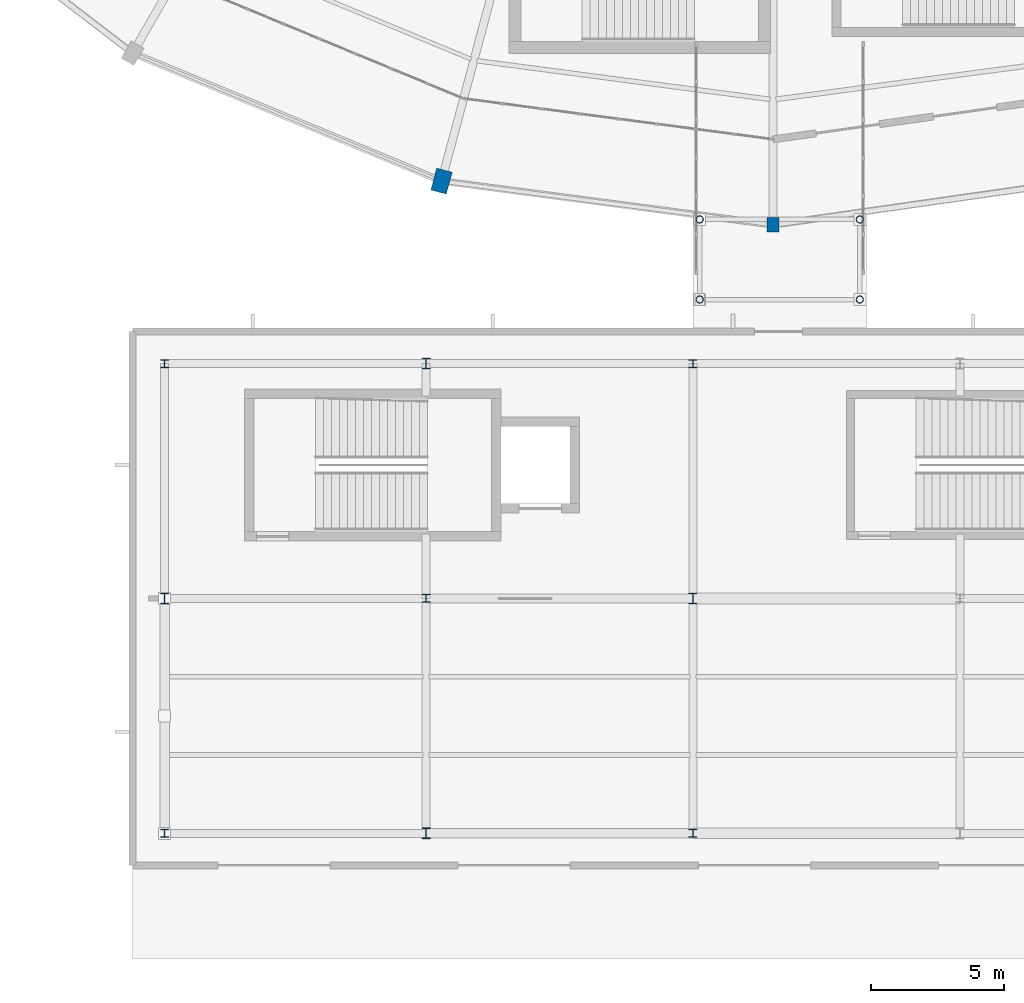
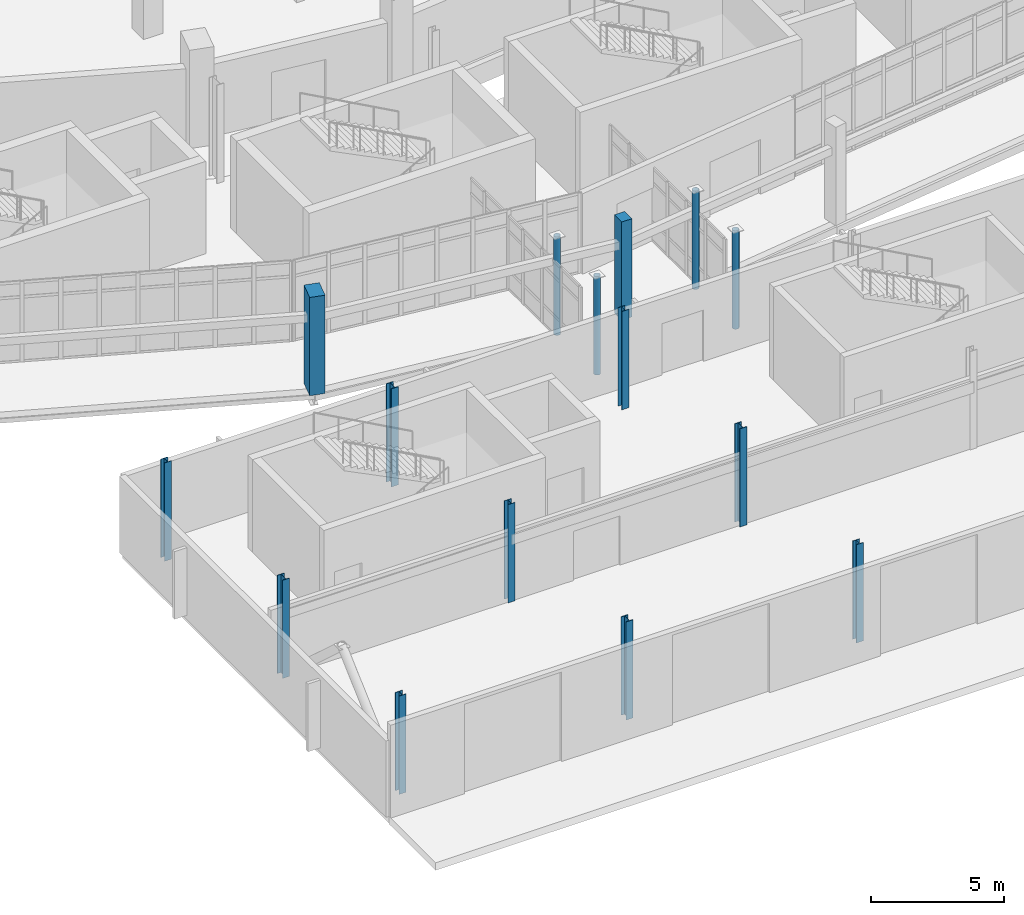
# One storey, part 4 of 122: 15 columns.
"""IFC4 building model written with IfcOpenShell, lengths in metres."""

from ifc_helpers import new_model, si_unit, direction, frame, origin, origin_2d, place, context, subcontext, project, spatial, rectangle, hollow_circle, i_section, extrude, material, material_profile, profile_set, type_object, element, save


model = new_model("IFC4")

# Units and contexts
model_context = context("Model", 3, precision=1e-05, world=origin(), true_north=direction((0.0, 1.0)))
body_context = subcontext(model_context, "Body", "Model", "MODEL_VIEW")
ifc_project = project(units=[si_unit("LENGTHUNIT", "METRE"), si_unit("AREAUNIT", "SQUARE_METRE"), si_unit("VOLUMEUNIT", "CUBIC_METRE"), si_unit("PLANEANGLEUNIT", "RADIAN"), si_unit("MASSUNIT", "GRAM", prefix="KILO")], contexts=[model_context])

# Site, building, storey
site_placement = place(None, origin())
site = spatial("IfcSite", under=ifc_project, at=site_placement, CompositionType="ELEMENT")
building_placement = place(site_placement, origin())
building = spatial("IfcBuilding", under=site, at=building_placement, Name="Sohan Crest Arena", CompositionType="ELEMENT")
storey_placement = place(building_placement, origin())
storey = spatial("IfcBuildingStorey", under=building, at=storey_placement, Name="L00", CompositionType="ELEMENT", Elevation=0.0)

# Columns
ifc_material_1 = material(Name="Steel S355", Category="steel")
ifc_material_profile_1 = material_profile(ifc_material_1, i_section(OverallWidth=0.300048828125, OverallDepth=0.300048828125, WebThickness=0.010986328125, FlangeThickness=0.01904296875, at=origin_2d()), Name="HEB 300")
ifc_profile_set_1 = profile_set([ifc_material_profile_1], Name="Steel S355")
column_type_1 = type_object("IfcColumnType", Name="STR-COL-C17", PredefinedType="COLUMN", material=ifc_profile_set_1)
for number, where, z_axis, x_axis, name in (
    (1, (75.199951171875, 7.199951171875, 0.0), (0.0, 0.0, 1.0), (1.0, 0.0, 0.0), "Structural column COL-V5C-01-1-L00"),
    (2, (75.199951171875, 24.800048828125, 0.0), (0.0, 0.0, 1.0), (1.0, 0.0, 0.0), "Structural column COL-V5C-01-3-L00"),
    (3, (85.0, 16.0, 0.0), (0.0, 0.0, 1.0), (1.0, 0.0, 0.0), "Structural column COL-V5C-02-2-L00"),
    (4, (95.0, 7.199951171875, 0.0), (0.0, 0.0, 1.0), (1.0, 0.0, 0.0), "Structural column COL-V5C-03-1-L00"),
    (5, (95.0, 24.800048828125, 0.0), (0.0, 0.0, 1.0), (1.0, 0.0, 0.0), "Structural column COL-V5C-03-3-L00"),
):
    element("IfcColumn", number, at=place(storey_placement, frame(where, z_axis=z_axis, x_axis=x_axis)), inside=storey, type_object=column_type_1, Name=name, PredefinedType="COLUMN", context=body_context, shape_type="SweptSolid", body=[
        extrude(i_section(OverallWidth=0.300048828125, OverallDepth=0.300048828125, WebThickness=0.010986328125, FlangeThickness=0.01904296875, at=origin_2d()), origin(), (0.0, 0.0, 1.0), 4.5),
    ])
ifc_material_profile_2 = material_profile(ifc_material_1, i_section(OverallWidth=0.300048828125, OverallDepth=0.39990234375, WebThickness=0.013427734375, FlangeThickness=0.02392578125, at=origin_2d()), Name="HEB 400")
ifc_profile_set_2 = profile_set([ifc_material_profile_2], Name="Steel S355")
column_type_2 = type_object("IfcColumnType", Name="STR-COL-C18", PredefinedType="COLUMN", material=ifc_profile_set_2)
for number, where, z_axis, x_axis, name in (
    (6, (75.199951171875, 16.0, 0.0), (0.0, 0.0, 1.0), (1.0, 0.0, 0.0), "Structural column COL-V5C-01-2-L00"),
    (7, (85.0, 7.199951171875, 0.0), (0.0, 0.0, 1.0), (1.0, 0.0, 0.0), "Structural column COL-V5C-02-1-L00"),
    (8, (85.0, 24.800048828125, 0.0), (0.0, 0.0, 1.0), (1.0, 0.0, 0.0), "Structural column COL-V5C-02-3-L00"),
    (9, (95.0, 16.0, 0.0), (0.0, 0.0, 1.0), (1.0, 0.0, 0.0), "Structural column COL-V5C-03-2-L00"),
):
    element("IfcColumn", number, at=place(storey_placement, frame(where, z_axis=z_axis, x_axis=x_axis)), inside=storey, type_object=column_type_2, Name=name, PredefinedType="COLUMN", context=body_context, shape_type="SweptSolid", body=[
        extrude(i_section(OverallWidth=0.300048828125, OverallDepth=0.39990234375, WebThickness=0.013427734375, FlangeThickness=0.02392578125, at=origin_2d()), origin(), (0.0, 0.0, 1.0), 4.5),
    ])
ifc_material_profile_3 = material_profile(ifc_material_1, hollow_circle(Radius=0.136474609375, WallThickness=0.012451171875, at=origin_2d()), Name="CHS 273x12.5")
ifc_profile_set_3 = profile_set([ifc_material_profile_3], Name="Steel S355")
column_type_3 = type_object("IfcColumnType", Name="STR-COL-C25", PredefinedType="COLUMN", material=ifc_profile_set_3)
for number, where, z_axis, x_axis, name in (
    (10, (95.25, 27.199951171875, 0.0), (0.0, 0.0, 1.0), (1.0, 0.0, 0.0), "Structural column COL-BC-BR-S1-1-L00"),
    (11, (95.25, 30.199951171875, 0.0), (0.0, 0.0, 1.0), (1.0, 0.0, 0.0), "Structural column COL-BC-BR-S1-2-L00"),
    (12, (101.25, 27.199951171875, 0.0), (0.0, 0.0, 1.0), (1.0, 0.0, 0.0), "Structural column COL-BC-BR-S1-3-L00"),
    (13, (101.25, 30.199951171875, 0.0), (0.0, 0.0, 1.0), (1.0, 0.0, 0.0), "Structural column COL-BC-BR-S1-4-L00"),
):
    element("IfcColumn", number, at=place(storey_placement, frame(where, z_axis=z_axis, x_axis=x_axis)), inside=storey, type_object=column_type_3, Name=name, PredefinedType="COLUMN", context=body_context, shape_type="SweptSolid", body=[
        extrude(hollow_circle(Radius=0.136474609375, WallThickness=0.012451171875, at=origin_2d()), origin(), (0.0, 0.0, 1.0), 4.5),
    ])
ifc_material_2 = material(Name="Concrete C40/50", Category="concrete")
ifc_material_profile_4 = material_profile(ifc_material_2, rectangle(XDim=0.550048828125, YDim=0.449951171875, at=origin_2d()), Name="RC 550x450")
ifc_profile_set_4 = profile_set([ifc_material_profile_4], Name="Concrete C40/50")
column_type_4 = type_object("IfcColumnType", Name="STR-COL-PC01", PredefinedType="PILASTER", material=ifc_profile_set_4)
column_1_placement = place(storey_placement, frame((98.0, 30.0, 0.0), z_axis=(0.0, 0.0, 1.0), x_axis=(0.0, 1.0, 0.0)))
element("IfcColumn", 14, at=column_1_placement, inside=storey, type_object=column_type_4, Name="Structural column COL-V2O-13-L00", PredefinedType="PILASTER", context=body_context, shape_type="SweptSolid", body=[
    extrude(rectangle(XDim=0.550048828125, YDim=0.449951171875, at=origin_2d()), origin(), (0.0, 0.0, 1.0), 4.5),
])
ifc_material_profile_5 = material_profile(ifc_material_2, rectangle(XDim=0.85009765625, YDim=0.60009765625, at=origin_2d()), Name="RC 850x600")
ifc_profile_set_5 = profile_set([ifc_material_profile_5], Name="Concrete C40/50")
column_type_5 = type_object("IfcColumnType", Name="STR-COL-PC04", PredefinedType="PILASTER", material=ifc_profile_set_5)
column_2_placement = place(storey_placement, frame((85.576904296875, 31.635986328125, 0.0), z_axis=(0.0, 0.0, 1.0), x_axis=(0.258819045103, 0.965925826289, 0.0)))
element("IfcColumn", 15, at=column_2_placement, inside=storey, type_object=column_type_5, Name="Structural column COL-V2O-12-L00", PredefinedType="PILASTER", context=body_context, shape_type="SweptSolid", body=[
    extrude(rectangle(XDim=0.85009765625, YDim=0.60009765625, at=origin_2d()), origin(), (0.0, 0.0, 1.0), 4.5),
])

save(model, "model.ifc")
